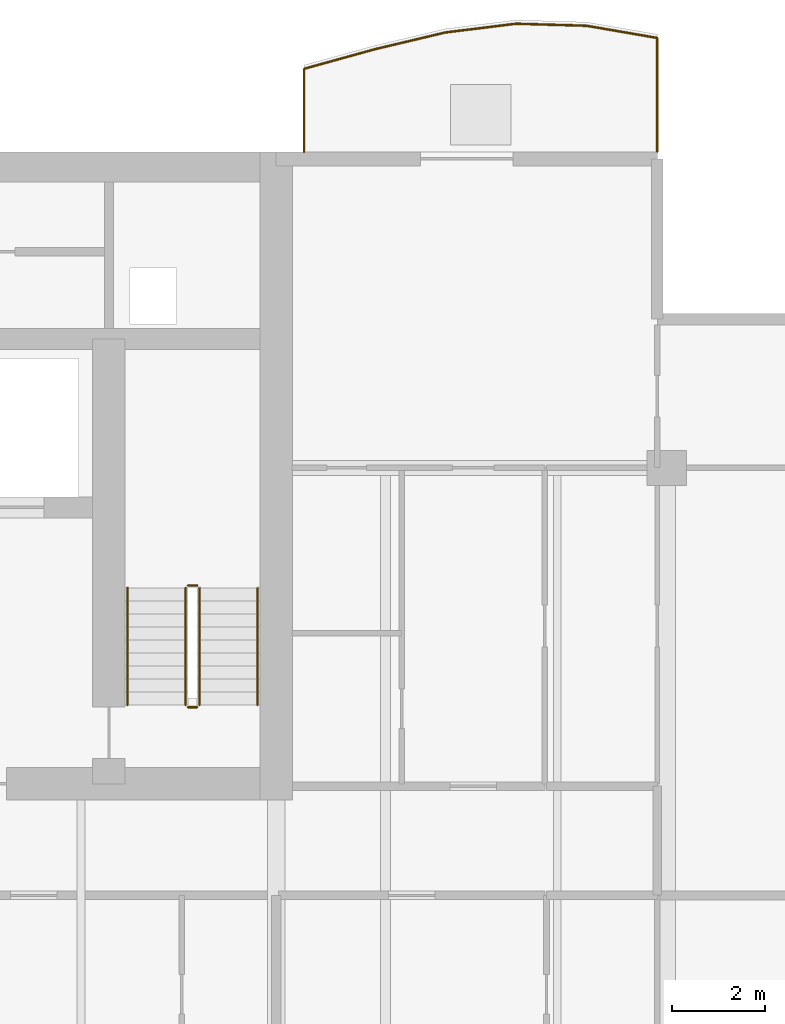
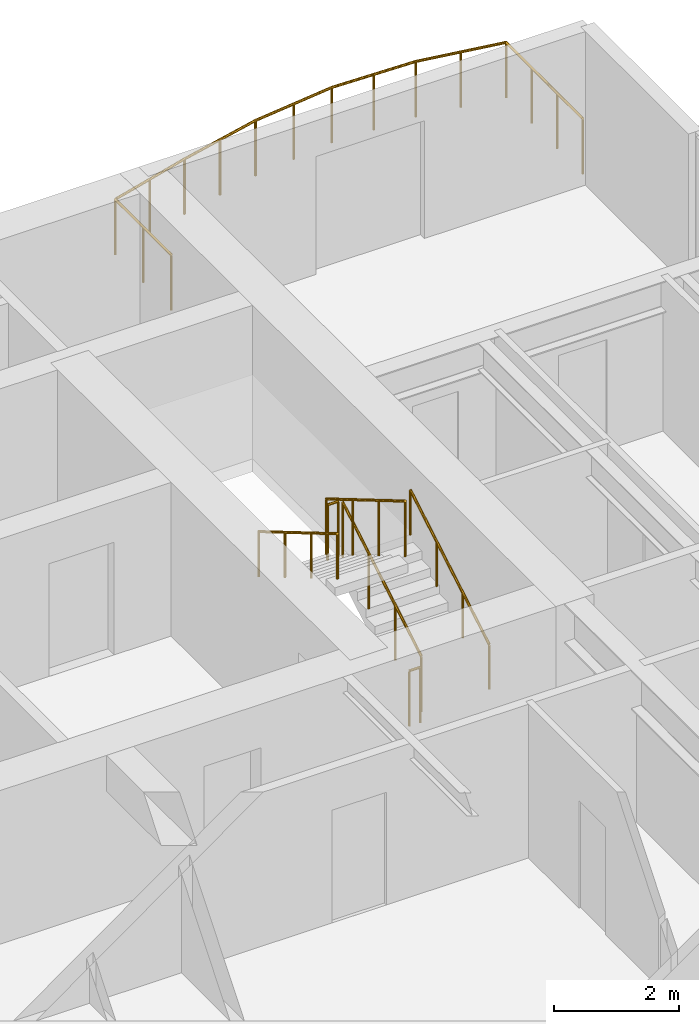
# One storey, part 17 of 18: 7 railings.
"""IFC4 building model written with IfcOpenShell, lengths in metres."""

from ifc_helpers import new_model, si_unit, direction, frame, origin, origin_2d, place, context, subcontext, project, spatial, circle, extrude, material, type_object, element, save


model = new_model("IFC4")

# Units and contexts
model_context = context("Model", 3, precision=1e-05, world=origin(), true_north=direction((0.0, 1.0)))
body_context = subcontext(model_context, "Body", "Model", "MODEL_VIEW")
ifc_project = project(units=[si_unit("LENGTHUNIT", "METRE"), si_unit("AREAUNIT", "SQUARE_METRE"), si_unit("VOLUMEUNIT", "CUBIC_METRE"), si_unit("PLANEANGLEUNIT", "RADIAN"), si_unit("MASSUNIT", "GRAM", prefix="KILO")], contexts=[model_context])

# Site, building, storey
site_placement = place(None, origin())
site = spatial("IfcSite", under=ifc_project, at=site_placement, CompositionType="ELEMENT")
building_placement = place(site_placement, origin())
building = spatial("IfcBuilding", under=site, at=building_placement, Name="Caelmar Bay Residences", CompositionType="ELEMENT")
storey_placement = place(building_placement, frame((0.0, 0.0, 180.300048828125)))
storey = spatial("IfcBuildingStorey", under=building, at=storey_placement, Name="L50", CompositionType="ELEMENT", Elevation=180.300048828125)

# Railings
ifc_material_1 = material(Name="Anodised bronze handrail with laminated hurricane glass infill", Category="glass")
railing_type_1 = type_object("IfcRailingType", Name="RL-BAL-1100", PredefinedType="BALUSTRADE", material=ifc_material_1)
railing_1_placement = place(storey_placement, frame((67.699951171875, 50.60009765625, 0.0)))
element("IfcRailing", 1, at=railing_1_placement, inside=storey, type_object=railing_type_1, Name="L50 north_east Balcony Balustrade", PredefinedType="BALUSTRADE", context=body_context, shape_type="SweptSolid", body=[
    extrude(circle(Radius=0.02392578125, at=origin_2d()), frame((0.0, 0.0, 1.076171875), z_axis=(0.0, 1.0, 0.0), x_axis=(-1.0, 0.0, 0.0)), (0.0, 0.0, 1.0), 2.45166015625),
    extrude(circle(Radius=0.02392578125, at=origin_2d()), frame((0.0, 2.45166015625, 1.076171875), z_axis=(-0.985445490472, 0.169991721293, 0.0), x_axis=(-0.169991721293, -0.985445490472, 0.0)), (0.0, 0.0, 1.0), 1.54248046875),
    extrude(circle(Radius=0.02392578125, at=origin_2d()), frame((-1.52001953125, 2.7138671875, 1.076171875), z_axis=(-0.999582338318, 0.028898943286, 0.0), x_axis=(-0.028898943286, -0.999582338318, 0.0)), (0.0, 0.0, 1.0), 1.520751953125),
    extrude(circle(Radius=0.02392578125, at=origin_2d()), frame((-3.0400390625, 2.7578125, 1.076171875), z_axis=(-0.992438886558, -0.122739791624, 0.0), x_axis=(0.122739791624, -0.992438886558, 0.0)), (0.0, 0.0, 1.0), 1.531494140625),
    extrude(circle(Radius=0.02392578125, at=origin_2d()), frame((-4.56005859375, 2.56982421875, 1.076171875), z_axis=(-0.972881623136, -0.231303582689, 0.0), x_axis=(0.231303582689, -0.972881623136, 0.0)), (0.0, 0.0, 1.0), 1.562255859375),
    extrude(circle(Radius=0.02392578125, at=origin_2d()), frame((-6.079833984375, 2.20849609375, 1.076171875), z_axis=(-0.96381450531, -0.266573815956, 0.0), x_axis=(0.266573815956, -0.96381450531, 0.0)), (0.0, 0.0, 1.0), 1.5771484375),
    extrude(circle(Radius=0.02392578125, at=origin_2d()), frame((-7.599853515625, 1.7880859375, 1.076171875), z_axis=(0.0, -1.0, 0.0), x_axis=(1.0, 0.0, 0.0)), (0.0, 0.0, 1.0), 1.7880859375),
    extrude(circle(Radius=0.02099609375, at=origin_2d()), origin(), (0.0, 0.0, 1.0), 1.052001953125),
    extrude(circle(Radius=0.02099609375, at=origin_2d()), frame((0.0, 0.817138671875, 0.0)), (0.0, 0.0, 1.0), 1.052001953125),
    extrude(circle(Radius=0.02099609375, at=origin_2d()), frame((0.0, 1.634521484375, 0.0)), (0.0, 0.0, 1.0), 1.052001953125),
    extrude(circle(Radius=0.02099609375, at=origin_2d()), frame((0.0, 2.45166015625, 0.0)), (0.0, 0.0, 1.0), 1.052001953125),
    extrude(circle(Radius=0.02099609375, at=origin_2d()), frame((-0.760009765625, 2.582763671875, 0.0)), (0.0, 0.0, 1.0), 1.052001953125),
    extrude(circle(Radius=0.02099609375, at=origin_2d()), frame((-1.52001953125, 2.7138671875, 0.0)), (0.0, 0.0, 1.0), 1.052001953125),
    extrude(circle(Radius=0.02099609375, at=origin_2d()), frame((-2.280029296875, 2.73583984375, 0.0)), (0.0, 0.0, 1.0), 1.052001953125),
    extrude(circle(Radius=0.02099609375, at=origin_2d()), frame((-3.0400390625, 2.7578125, 0.0)), (0.0, 0.0, 1.0), 1.052001953125),
    extrude(circle(Radius=0.02099609375, at=origin_2d()), frame((-3.800048828125, 2.663818359375, 0.0)), (0.0, 0.0, 1.0), 1.052001953125),
    extrude(circle(Radius=0.02099609375, at=origin_2d()), frame((-4.56005859375, 2.56982421875, 0.0)), (0.0, 0.0, 1.0), 1.052001953125),
    extrude(circle(Radius=0.02099609375, at=origin_2d()), frame((-5.31982421875, 2.38916015625, 0.0)), (0.0, 0.0, 1.0), 1.052001953125),
    extrude(circle(Radius=0.02099609375, at=origin_2d()), frame((-6.079833984375, 2.20849609375, 0.0)), (0.0, 0.0, 1.0), 1.052001953125),
    extrude(circle(Radius=0.02099609375, at=origin_2d()), frame((-6.83984375, 1.998291015625, 0.0)), (0.0, 0.0, 1.0), 1.052001953125),
    extrude(circle(Radius=0.02099609375, at=origin_2d()), frame((-7.599853515625, 1.7880859375, 0.0)), (0.0, 0.0, 1.0), 1.052001953125),
    extrude(circle(Radius=0.02099609375, at=origin_2d()), frame((-7.599853515625, 0.89404296875, 0.0)), (0.0, 0.0, 1.0), 1.052001953125),
    extrude(circle(Radius=0.02099609375, at=origin_2d()), frame((-7.599853515625, 0.0, 0.0)), (0.0, 0.0, 1.0), 1.052001953125),
])
ifc_material_2 = material(Name="Painted galvanized steel stair guard 1100 mm", Category="steel")
railing_type_2 = type_object("IfcRailingType", Name="RL-GRD-1100", PredefinedType="GUARDRAIL", material=ifc_material_2)
railing_2_placement = place(storey_placement, frame((57.85009765625, 38.699951171875, 0.1650390625)))
element("IfcRailing", 2, at=railing_2_placement, inside=storey, type_object=railing_type_2, Name="L50 ST2 stair guard 1", PredefinedType="GUARDRAIL", context=body_context, shape_type="SweptSolid", body=[
    extrude(circle(Radius=0.02392578125, at=origin_2d()), frame((0.0, 0.0, 1.076171875), z_axis=(0.0, 0.861560626758, 0.507654692109), x_axis=(-1.0, 0.0, 0.0)), (0.0, 0.0, 1.0), 2.925048828125),
    extrude(circle(Radius=0.02099609375, at=origin_2d()), origin(), (0.0, 0.0, 1.0), 1.052001953125),
    extrude(circle(Radius=0.02099609375, at=origin_2d()), frame((0.0, 0.840087890625, 0.494873046875)), (0.0, 0.0, 1.0), 1.052001953125),
    extrude(circle(Radius=0.02099609375, at=origin_2d()), frame((0.0, 1.679931640625, 0.989990234375)), (0.0, 0.0, 1.0), 1.052001953125),
    extrude(circle(Radius=0.02099609375, at=origin_2d()), frame((0.0, 2.52001953125, 1.48486328125)), (0.0, 0.0, 1.0), 1.052001953125),
])
railing_3_placement = place(storey_placement, frame((57.800048828125, 41.27001953125, 1.64990234375)))
element("IfcRailing", 3, at=railing_3_placement, inside=storey, type_object=railing_type_2, Name="L50 ST2 stair guard 2", PredefinedType="GUARDRAIL", context=body_context, shape_type="SweptSolid", body=[
    extrude(circle(Radius=0.02392578125, at=origin_2d()), frame((0.0, 0.0, 1.076171875), z_axis=(-1.0, 0.0, 0.0), x_axis=(0.0, -1.0, 0.0)), (0.0, 0.0, 1.0), 0.199951171875),
    extrude(circle(Radius=0.02099609375, at=origin_2d()), origin(), (0.0, 0.0, 1.0), 1.052001953125),
    extrude(circle(Radius=0.02099609375, at=origin_2d()), frame((-0.199951171875, 0.0, 0.0)), (0.0, 0.0, 1.0), 1.052001953125),
])
railing_4_placement = place(storey_placement, frame((57.550048828125, 41.219970703125, 1.81494140625)))
element("IfcRailing", 4, at=railing_4_placement, inside=storey, type_object=railing_type_2, Name="L50 ST2 stair guard 3", PredefinedType="GUARDRAIL", context=body_context, shape_type="SweptSolid", body=[
    extrude(circle(Radius=0.02392578125, at=origin_2d()), frame((0.0, 0.0, 1.076171875), z_axis=(0.0, -0.86152411907, 0.507716645641), x_axis=(1.0, 0.0, 0.0)), (0.0, 0.0, 1.0), 2.925048828125),
    extrude(circle(Radius=0.02099609375, at=origin_2d()), origin(), (0.0, 0.0, 1.0), 1.052001953125),
    extrude(circle(Radius=0.02099609375, at=origin_2d()), frame((0.0, -0.840087890625, 0.4951171875)), (0.0, 0.0, 1.0), 1.052001953125),
    extrude(circle(Radius=0.02099609375, at=origin_2d()), frame((0.0, -1.679931640625, 0.989990234375)), (0.0, 0.0, 1.0), 1.052001953125),
    extrude(circle(Radius=0.02099609375, at=origin_2d()), frame((0.0, -2.52001953125, 1.485107421875)), (0.0, 0.0, 1.0), 1.052001953125),
])
railing_5_placement = place(storey_placement, frame((57.800048828125, 38.64990234375, 0.0)))
element("IfcRailing", 5, at=railing_5_placement, inside=storey, type_object=railing_type_2, Name="L50 ST2 stair guard 4", PredefinedType="GUARDRAIL", context=body_context, shape_type="SweptSolid", body=[
    extrude(circle(Radius=0.02392578125, at=origin_2d()), frame((0.0, 0.0, 1.076171875), z_axis=(-1.0, 0.0, 0.0), x_axis=(0.0, -1.0, 0.0)), (0.0, 0.0, 1.0), 0.199951171875),
    extrude(circle(Radius=0.02099609375, at=origin_2d()), origin(), (0.0, 0.0, 1.0), 1.052001953125),
    extrude(circle(Radius=0.02099609375, at=origin_2d()), frame((-0.199951171875, 0.0, 0.0)), (0.0, 0.0, 1.0), 1.052001953125),
])
ifc_material_3 = material(Name="Brushed bronze stainless-steel tubular handrail 900 mm", Category="steel")
railing_type_3 = type_object("IfcRailingType", Name="RL-HND-900", PredefinedType="HANDRAIL", material=ifc_material_3)
railing_6_placement = place(storey_placement, frame((59.10009765625, 38.699951171875, 0.1650390625)))
element("IfcRailing", 6, at=railing_6_placement, inside=storey, type_object=railing_type_3, Name="L50 ST2 stair handrail 1", PredefinedType="HANDRAIL", context=body_context, shape_type="SweptSolid", body=[
    extrude(circle(Radius=0.02392578125, at=origin_2d()), frame((0.0, 0.0, 0.8759765625), z_axis=(0.0, 0.861560626758, 0.507654692109), x_axis=(-1.0, 0.0, 0.0)), (0.0, 0.0, 1.0), 2.925048828125),
    extrude(circle(Radius=0.02099609375, at=origin_2d()), origin(), (0.0, 0.0, 1.0), 0.851806640625),
    extrude(circle(Radius=0.02099609375, at=origin_2d()), frame((0.0, 0.840087890625, 0.494873046875)), (0.0, 0.0, 1.0), 0.851806640625),
    extrude(circle(Radius=0.02099609375, at=origin_2d()), frame((0.0, 1.679931640625, 0.989990234375)), (0.0, 0.0, 1.0), 0.851806640625),
    extrude(circle(Radius=0.02099609375, at=origin_2d()), frame((0.0, 2.52001953125, 1.48486328125)), (0.0, 0.0, 1.0), 0.851806640625),
])
railing_7_placement = place(storey_placement, frame((56.300048828125, 41.219970703125, 1.81494140625)))
element("IfcRailing", 7, at=railing_7_placement, inside=storey, type_object=railing_type_3, Name="L50 ST2 stair handrail 2", PredefinedType="HANDRAIL", context=body_context, shape_type="SweptSolid", body=[
    extrude(circle(Radius=0.02392578125, at=origin_2d()), frame((0.0, 0.0, 0.8759765625), z_axis=(0.0, -0.86152411907, 0.507716645641), x_axis=(1.0, 0.0, 0.0)), (0.0, 0.0, 1.0), 2.925048828125),
    extrude(circle(Radius=0.02099609375, at=origin_2d()), origin(), (0.0, 0.0, 1.0), 0.851806640625),
    extrude(circle(Radius=0.02099609375, at=origin_2d()), frame((0.0, -0.840087890625, 0.4951171875)), (0.0, 0.0, 1.0), 0.851806640625),
    extrude(circle(Radius=0.02099609375, at=origin_2d()), frame((0.0, -1.679931640625, 0.989990234375)), (0.0, 0.0, 1.0), 0.851806640625),
    extrude(circle(Radius=0.02099609375, at=origin_2d()), frame((0.0, -2.52001953125, 1.485107421875)), (0.0, 0.0, 1.0), 0.851806640625),
])

save(model, "model.ifc")
